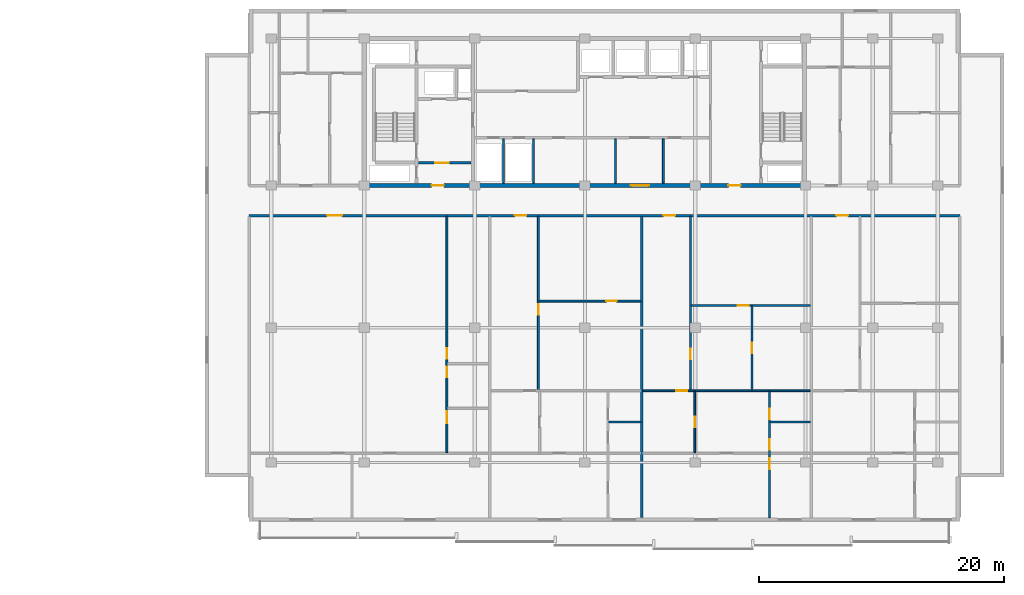
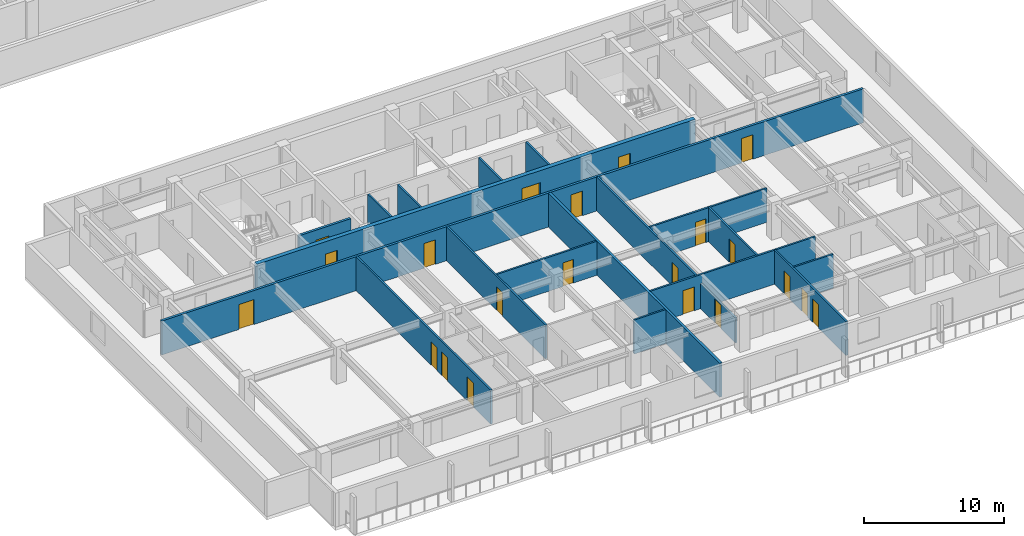
# One storey, part 5 of 21: 21 doors, 19 walls, 21 openings.
"""IFC4 building model written with IfcOpenShell, lengths in metres."""

from ifc_helpers import new_model, si_unit, direction, frame, frame_2d, origin, place, context, subcontext, project, spatial, rectangle, extrude, material, layer, layer_set, type_object, element, fill, save


model = new_model("IFC4")

# Units and contexts
model_context = context("Model", 3, precision=1e-05, world=origin(), true_north=direction((0.0, 1.0)))
body_context = subcontext(model_context, "Body", "Model", "MODEL_VIEW")
ifc_project = project(units=[si_unit("LENGTHUNIT", "METRE"), si_unit("AREAUNIT", "SQUARE_METRE"), si_unit("VOLUMEUNIT", "CUBIC_METRE"), si_unit("PLANEANGLEUNIT", "RADIAN"), si_unit("MASSUNIT", "GRAM", prefix="KILO")], contexts=[model_context])

# Site, building, storey
site_placement = place(None, origin())
site = spatial("IfcSite", under=ifc_project, at=site_placement, CompositionType="ELEMENT")
building_placement = place(site_placement, origin())
building = spatial("IfcBuilding", under=site, at=building_placement, Name="Korimba Cascade Residences", CompositionType="ELEMENT")
storey_placement = place(building_placement, frame((0.0, 0.0, 113.300048828125)))
storey = spatial("IfcBuildingStorey", under=building, at=storey_placement, Name="L32", CompositionType="ELEMENT", Elevation=113.300048828125)

# Wall, openings, doors
ifc_material_1 = material(Name="Concrete C65/80", Category="concrete")
ifc_layer_1 = layer(ifc_material_1, 0.35009765625)
ifc_layer_set_1 = layer_set([ifc_layer_1], Name="Concrete C65/80")
wall_type_1 = type_object("IfcWallType", Name="WAL-CORE-350", PredefinedType="SHEAR", material=ifc_layer_set_1)
wall_1_placement = place(storey_placement, frame((81.925048828125, 18.39990234375, 0.0), z_axis=(0.0, 0.0, 1.0), x_axis=(1.0, 0.0, 0.0)))
wall_1 = element("IfcWall", 1, at=wall_1_placement, inside=storey, type_object=wall_type_1, Name="L32 Core Shear Wall CW-L32-T2-S", PredefinedType="SHEAR", context=body_context, shape_type="SweptSolid", body=[
    extrude(rectangle(XDim=36.264892578125, YDim=0.35009765625, at=frame_2d((18.13232421875, 0.0))), origin(), (0.0, 0.0, 1.0), 3.25),
])
opening_1_placement = place(wall_1_placement, frame((5.675048828125, 0.0, 0.0)))
opening_1 = element("IfcOpeningElement", 2, at=opening_1_placement, cuts=wall_1, Name="Opening D-FD5", PredefinedType="OPENING", context=body_context, shape_type="SweptSolid", body=[
    extrude(rectangle(XDim=1.0, YDim=2.14990234375, at=frame_2d((0.5, 1.074951171875))), frame((0.0, 0.18505859375, 0.0), z_axis=(0.0, -1.0, 0.0), x_axis=(1.0, 0.0, 0.0)), (0.0, 0.0, 1.0), 0.3701171875),
])
opening_2_placement = place(wall_1_placement, frame((21.925048828125, 0.0, 0.0)))
opening_2 = element("IfcOpeningElement", 3, at=opening_2_placement, cuts=wall_1, Name="Opening D-FD8", PredefinedType="OPENING", context=body_context, shape_type="SweptSolid", body=[
    extrude(rectangle(XDim=1.5, YDim=2.199951171875, at=frame_2d((0.75, 1.10009765625))), frame((0.0, 0.18505859375, 0.0), z_axis=(0.0, -1.0, 0.0), x_axis=(1.0, 0.0, 0.0)), (0.0, 0.0, 1.0), 0.3701171875),
])
opening_3_placement = place(wall_1_placement, frame((29.875, 0.0, 0.0)))
opening_3 = element("IfcOpeningElement", 4, at=opening_3_placement, cuts=wall_1, Name="Opening D-FD5", PredefinedType="OPENING", context=body_context, shape_type="SweptSolid", body=[
    extrude(rectangle(XDim=1.0, YDim=2.14990234375, at=frame_2d((0.5, 1.074951171875))), frame((0.0, 0.18505859375, 0.0), z_axis=(0.0, -1.0, 0.0), x_axis=(1.0, 0.0, 0.0)), (0.0, 0.0, 1.0), 0.3701171875),
])
ifc_material_2 = material(Name="Fire-Rated Acoustic Timber Vestibule Door", Category="wood")
door_type_1 = type_object("IfcDoorType", Name="DR-FD90-1000", OperationType="NOTDEFINED", PredefinedType="DOOR", material=ifc_material_2)
door_1_placement = place(opening_1_placement, origin())
door_1 = element("IfcDoor", 5, at=door_1_placement, inside=storey, type_object=door_type_1, Name="L32 T2 West Core Vestibule Fire Door", OperationType="SINGLE_SWING_RIGHT", OverallHeight=2.14990234375, OverallWidth=1.0, PredefinedType="DOOR", context=body_context, shape_type="SweptSolid", body=[
    extrude(rectangle(XDim=1.0, YDim=2.14990234375, at=frame_2d((0.5, 1.074951171875))), frame((0.0, 0.02490234375, 0.0), z_axis=(0.0, -1.0, 0.0), x_axis=(1.0, 0.0, 0.0)), (0.0, 0.0, 1.0), 0.050048828125),
])
fill(opening_1, door_1)
door_2_placement = place(opening_3_placement, origin())
door_2 = element("IfcDoor", 6, at=door_2_placement, inside=storey, type_object=door_type_1, Name="L32 T2 East Stair Vestibule Fire Door", OperationType="SINGLE_SWING_LEFT", OverallHeight=2.14990234375, OverallWidth=1.0, PredefinedType="DOOR", context=body_context, shape_type="SweptSolid", body=[
    extrude(rectangle(XDim=1.0, YDim=2.14990234375, at=frame_2d((0.5, 1.074951171875))), frame((0.0, 0.02490234375, 0.0), z_axis=(0.0, -1.0, 0.0), x_axis=(1.0, 0.0, 0.0)), (0.0, 0.0, 1.0), 0.050048828125),
])
fill(opening_3, door_2)
ifc_material_3 = material(Name="Fire-Rated Glazed Lift Lobby Double Door", Category="glass")
door_type_2 = type_object("IfcDoorType", Name="DR-FD90-1500", OperationType="NOTDEFINED", PredefinedType="DOOR", material=ifc_material_3)
door_3_placement = place(opening_2_placement, origin())
door_3 = element("IfcDoor", 7, at=door_3_placement, inside=storey, type_object=door_type_2, Name="L32 T2 Lift Lobby Fire Door", OperationType="DOUBLE_DOOR_SINGLE_SWING", OverallHeight=2.199951171875, OverallWidth=1.5, PredefinedType="DOOR", context=body_context, shape_type="SweptSolid", body=[
    extrude(rectangle(XDim=1.5, YDim=2.199951171875, at=frame_2d((0.75, 1.10009765625))), frame((0.0, 0.02490234375, 0.0), z_axis=(0.0, -1.0, 0.0), x_axis=(1.0, 0.0, 0.0)), (0.0, 0.0, 1.0), 0.050048828125),
])
fill(opening_2, door_3)

# Wall
ifc_material_4 = material(Name="Precast concrete C40/50", Category="concrete")
ifc_layer_2 = layer(ifc_material_4, 0.199951171875)
ifc_layer_set_2 = layer_set([ifc_layer_2], Name="Precast concrete C40/50")
wall_type_2 = type_object("IfcWallType", Name="WAL-IT-200", PredefinedType="PARTITIONING", material=ifc_layer_set_2)
wall_2_placement = place(storey_placement, frame((104.75, -8.699951171875, 0.0), z_axis=(0.0, 0.0, 1.0), x_axis=(0.0, 1.0, 0.0)))
element("IfcWall", 8, at=wall_2_placement, inside=storey, type_object=wall_type_2, Name="L32 Partition Wall WAL-L32-T2-DEM-2", PredefinedType="PARTITIONING", context=body_context, shape_type="SweptSolid", body=[
    extrude(rectangle(XDim=24.570068359375, YDim=0.199951171875, at=frame_2d((12.28515625, 0.0))), origin(), (0.0, 0.0, 1.0), 2.969970703125),
])

# Wall, openings, doors
wall_3_placement = place(storey_placement, frame((72.699951171875, 15.949951171875, 0.0), z_axis=(0.0, 0.0, 1.0), x_axis=(1.0, 0.0, 0.0)))
wall_3 = element("IfcWall", 9, at=wall_3_placement, inside=storey, type_object=wall_type_2, Name="L32 Partition Wall WAL-L32-T2-CORS", PredefinedType="PARTITIONING", context=body_context, shape_type="SweptSolid", body=[
    extrude(rectangle(XDim=58.0, YDim=0.199951171875, at=frame_2d((29.0, 0.0))), origin(), (0.0, 0.0, 1.0), 2.969970703125),
])
opening_4_placement = place(wall_3_placement, frame((6.373291015625, 0.0, 0.0)))
opening_4 = element("IfcOpeningElement", 10, at=opening_4_placement, cuts=wall_3, Name="Opening D-AM1", PredefinedType="OPENING", context=body_context, shape_type="SweptSolid", body=[
    extrude(rectangle(XDim=1.219970703125, YDim=2.179931640625, at=frame_2d((0.60986328125, 1.08984375))), frame((0.0, 0.10986328125, 0.0), z_axis=(0.0, -1.0, 0.0), x_axis=(1.0, 0.0, 0.0)), (0.0, 0.0, 1.0), 0.219970703125),
])
opening_5_placement = place(wall_3_placement, frame((21.67822265625, 0.0, 0.0)))
opening_5 = element("IfcOpeningElement", 11, at=opening_5_placement, cuts=wall_3, Name="Opening D-UN1", PredefinedType="OPENING", context=body_context, shape_type="SweptSolid", body=[
    extrude(rectangle(XDim=0.949951171875, YDim=2.14990234375, at=frame_2d((0.47509765625, 1.074951171875))), frame((0.0, 0.10986328125, 0.0), z_axis=(0.0, -1.0, 0.0), x_axis=(1.0, 0.0, 0.0)), (0.0, 0.0, 1.0), 0.219970703125),
])
opening_6_placement = place(wall_3_placement, frame((33.81201171875, 0.0, 0.0)))
opening_6 = element("IfcOpeningElement", 12, at=opening_6_placement, cuts=wall_3, Name="Opening D-UN1", PredefinedType="OPENING", context=body_context, shape_type="SweptSolid", body=[
    extrude(rectangle(XDim=0.949951171875, YDim=2.14990234375, at=frame_2d((0.47509765625, 1.074951171875))), frame((0.0, 0.10986328125, 0.0), z_axis=(0.0, -1.0, 0.0), x_axis=(1.0, 0.0, 0.0)), (0.0, 0.0, 1.0), 0.219970703125),
])
opening_7_placement = place(wall_3_placement, frame((47.92822265625, 0.0, 0.0)))
opening_7 = element("IfcOpeningElement", 13, at=opening_7_placement, cuts=wall_3, Name="Opening D-UN1", PredefinedType="OPENING", context=body_context, shape_type="SweptSolid", body=[
    extrude(rectangle(XDim=0.949951171875, YDim=2.14990234375, at=frame_2d((0.47509765625, 1.074951171875))), frame((0.0, 0.10986328125, 0.0), z_axis=(0.0, -1.0, 0.0), x_axis=(1.0, 0.0, 0.0)), (0.0, 0.0, 1.0), 0.219970703125),
])
ifc_material_5 = material(Name="Fire-Rated Glazed Timber Suite Door", Category="wood")
door_type_3 = type_object("IfcDoorType", Name="DR-FD60-1200", OperationType="NOTDEFINED", PredefinedType="DOOR", material=ifc_material_5)
door_4_placement = place(opening_4_placement, origin())
door_4 = element("IfcDoor", 14, at=door_4_placement, inside=storey, type_object=door_type_3, Name="L32-T2-U01 Architecture Reading Library Door", OperationType="SINGLE_SWING_LEFT", OverallHeight=2.179931640625, OverallWidth=1.219970703125, PredefinedType="DOOR", context=body_context, shape_type="SweptSolid", body=[
    extrude(rectangle(XDim=1.219970703125, YDim=2.179931640625, at=frame_2d((0.60986328125, 1.08984375))), frame((0.0, 0.02490234375, 0.0), z_axis=(0.0, -1.0, 0.0), x_axis=(1.0, 0.0, 0.0)), (0.0, 0.0, 1.0), 0.050048828125),
])
fill(opening_4, door_4)
ifc_material_6 = material(Name="Fire-Rated Hardwood Apartment Entrance Door", Category="wood")
door_type_4 = type_object("IfcDoorType", Name="DR-FD60-950", OperationType="NOTDEFINED", PredefinedType="DOOR", material=ifc_material_6)
door_5_placement = place(opening_5_placement, origin())
door_5 = element("IfcDoor", 15, at=door_5_placement, inside=storey, type_object=door_type_4, Name="Unit L32-T2-U02 Entrance Door", OperationType="SINGLE_SWING_RIGHT", OverallHeight=2.14990234375, OverallWidth=0.949951171875, PredefinedType="DOOR", context=body_context, shape_type="SweptSolid", body=[
    extrude(rectangle(XDim=0.949951171875, YDim=2.14990234375, at=frame_2d((0.47509765625, 1.074951171875))), frame((0.0, 0.02490234375, 0.0), z_axis=(0.0, -1.0, 0.0), x_axis=(1.0, 0.0, 0.0)), (0.0, 0.0, 1.0), 0.050048828125),
])
fill(opening_5, door_5)
door_6_placement = place(opening_6_placement, origin())
door_6 = element("IfcDoor", 16, at=door_6_placement, inside=storey, type_object=door_type_4, Name="Unit L32-T2-U03 Entrance Door", OperationType="SINGLE_SWING_LEFT", OverallHeight=2.14990234375, OverallWidth=0.949951171875, PredefinedType="DOOR", context=body_context, shape_type="SweptSolid", body=[
    extrude(rectangle(XDim=0.949951171875, YDim=2.14990234375, at=frame_2d((0.47509765625, 1.074951171875))), frame((0.0, 0.02490234375, 0.0), z_axis=(0.0, -1.0, 0.0), x_axis=(1.0, 0.0, 0.0)), (0.0, 0.0, 1.0), 0.050048828125),
])
fill(opening_6, door_6)
door_7_placement = place(opening_7_placement, origin())
door_7 = element("IfcDoor", 17, at=door_7_placement, inside=storey, type_object=door_type_4, Name="Unit L32-T2-U04 Entrance Door", OperationType="SINGLE_SWING_RIGHT", OverallHeight=2.14990234375, OverallWidth=0.949951171875, PredefinedType="DOOR", context=body_context, shape_type="SweptSolid", body=[
    extrude(rectangle(XDim=0.949951171875, YDim=2.14990234375, at=frame_2d((0.47509765625, 1.074951171875))), frame((0.0, 0.02490234375, 0.0), z_axis=(0.0, -1.0, 0.0), x_axis=(1.0, 0.0, 0.0)), (0.0, 0.0, 1.0), 0.050048828125),
])
fill(opening_7, door_7)

# Walls
ifc_material_7 = material(Name="Insulated Acoustic Stud Partition", Category="gypsum")
ifc_layer_3 = layer(ifc_material_7, 0.14990234375)
ifc_layer_set_3 = layer_set([ifc_layer_3], Name="Insulated Acoustic Stud Partition")
wall_type_3 = type_object("IfcWallType", Name="WAL-PART-150", PredefinedType="PARTITIONING", material=ifc_layer_set_3)
for number, where, z_axis, x_axis, name in (
    (18, (93.449951171875, 18.60009765625, 0.0), (0.0, 0.0, 1.0), (0.0, 1.0, 0.0), "L32 Partition Wall CW-L32-T2-ERDIV"),
    (19, (95.89990234375, 18.60009765625, 0.0), (0.0, 0.0, 1.0), (0.0, 1.0, 0.0), "L32 Partition Wall CW-L32-T2-PRDIV"),
    (20, (102.60009765625, 18.60009765625, 0.0), (0.0, 0.0, 1.0), (0.0, 1.0, 0.0), "L32 Partition Wall CW-L32-T2-THW"),
    (21, (106.5, 18.60009765625, 0.0), (0.0, 0.0, 1.0), (0.0, 1.0, 0.0), "L32 Partition Wall CW-L32-T2-THE"),
):
    element("IfcWall", number, at=place(storey_placement, frame(where, z_axis=z_axis, x_axis=x_axis)), inside=storey, type_object=wall_type_3, Name=name, PredefinedType="PARTITIONING", context=body_context, shape_type="SweptSolid", body=[
        extrude(rectangle(XDim=3.599853515625, YDim=0.14990234375, at=frame_2d((1.7998046875, 0.0))), origin(), (0.0, 0.0, 1.0), 2.969970703125),
    ])

# Wall, openings, doors
wall_4_placement = place(storey_placement, frame((88.833251953125, -3.389892578125, 0.0), z_axis=(0.0, 0.0, 1.0), x_axis=(0.0, 1.0, 0.0)))
wall_4 = element("IfcWall", 22, at=wall_4_placement, inside=storey, type_object=wall_type_3, Name="L32 Partition Wall WAL-L32-T2-U01-WCV", PredefinedType="PARTITIONING", context=body_context, shape_type="SweptSolid", body=[
    extrude(rectangle(XDim=19.27978515625, YDim=0.14990234375, at=frame_2d((9.639892578125, 0.0))), origin(), (0.0, 0.0, 1.0), 2.969970703125),
])
opening_8_placement = place(wall_4_placement, frame((2.406005859375, 0.0, 0.0)))
opening_8 = element("IfcOpeningElement", 23, at=opening_8_placement, cuts=wall_4, Name="Opening D-AC1", PredefinedType="OPENING", context=body_context, shape_type="SweptSolid", body=[
    extrude(rectangle(XDim=0.9599609375, YDim=2.10009765625, at=frame_2d((0.47998046875, 1.050048828125))), frame((0.0, 0.0849609375, 0.0), z_axis=(0.0, -1.0, 0.0), x_axis=(1.0, 0.0, 0.0)), (0.0, 0.0, 1.0), 0.169921875),
])
opening_9_placement = place(wall_4_placement, frame((6.132568359375, 0.0, 0.0)))
opening_9 = element("IfcOpeningElement", 24, at=opening_9_placement, cuts=wall_4, Name="Opening D-IN2", PredefinedType="OPENING", context=body_context, shape_type="SweptSolid", body=[
    extrude(rectangle(XDim=0.8798828125, YDim=2.06005859375, at=frame_2d((0.43994140625, 1.030029296875))), frame((0.0, 0.0849609375, 0.0), z_axis=(0.0, -1.0, 0.0), x_axis=(1.0, 0.0, 0.0)), (0.0, 0.0, 1.0), 0.169921875),
])
opening_10_placement = place(wall_4_placement, frame((7.67431640625, 0.0, 0.0)))
opening_10 = element("IfcOpeningElement", 25, at=opening_10_placement, cuts=wall_4, Name="Opening D-BT1", PredefinedType="OPENING", context=body_context, shape_type="SweptSolid", body=[
    extrude(rectangle(XDim=0.840087890625, YDim=2.0400390625, at=frame_2d((0.419921875, 1.02001953125))), frame((0.0, 0.0849609375, 0.0), z_axis=(0.0, -1.0, 0.0), x_axis=(1.0, 0.0, 0.0)), (0.0, 0.0, 1.0), 0.169921875),
])
ifc_material_8 = material(Name="Accessible Acoustic Timber WC Door", Category="wood")
door_type_5 = type_object("IfcDoorType", Name="DR-ACC-950", OperationType="NOTDEFINED", PredefinedType="DOOR", material=ifc_material_8)
door_8_placement = place(opening_8_placement, origin())
door_8 = element("IfcDoor", 26, at=door_8_placement, inside=storey, type_object=door_type_5, Name="L32-T2-U01 Accessible WC Door", OperationType="SINGLE_SWING_RIGHT", OverallHeight=2.10009765625, OverallWidth=0.9599609375, PredefinedType="DOOR", context=body_context, shape_type="SweptSolid", body=[
    extrude(rectangle(XDim=0.9599609375, YDim=2.10009765625, at=frame_2d((0.47998046875, 1.050048828125))), frame((0.0, 0.02490234375, 0.0), z_axis=(0.0, -1.0, 0.0), x_axis=(1.0, 0.0, 0.0)), (0.0, 0.0, 1.0), 0.050048828125),
])
fill(opening_8, door_8)
ifc_material_9 = material(Name="Moisture-Resistant Bathroom Timber Door", Category="wood")
door_type_6 = type_object("IfcDoorType", Name="DR-INT-850", OperationType="NOTDEFINED", PredefinedType="DOOR", material=ifc_material_9)
door_9_placement = place(opening_10_placement, origin())
door_9 = element("IfcDoor", 27, at=door_9_placement, inside=storey, type_object=door_type_6, Name="L32-T2-U01 Suite Store Door", OperationType="SINGLE_SWING_RIGHT", OverallHeight=2.0400390625, OverallWidth=0.840087890625, PredefinedType="DOOR", context=body_context, shape_type="SweptSolid", body=[
    extrude(rectangle(XDim=0.840087890625, YDim=2.0400390625, at=frame_2d((0.419921875, 1.02001953125))), frame((0.0, 0.02490234375, 0.0), z_axis=(0.0, -1.0, 0.0), x_axis=(1.0, 0.0, 0.0)), (0.0, 0.0, 1.0), 0.050048828125),
])
fill(opening_10, door_9)
ifc_material_10 = material(Name="Acoustic Timber Bedroom Door", Category="wood")
door_type_7 = type_object("IfcDoorType", Name="DR-INT-880", OperationType="NOTDEFINED", PredefinedType="DOOR", material=ifc_material_10)
door_10_placement = place(opening_9_placement, origin())
door_10 = element("IfcDoor", 28, at=door_10_placement, inside=storey, type_object=door_type_7, Name="L32-T2-U01 Restroom WC Door", OperationType="SINGLE_SWING_LEFT", OverallHeight=2.06005859375, OverallWidth=0.8798828125, PredefinedType="DOOR", context=body_context, shape_type="SweptSolid", body=[
    extrude(rectangle(XDim=0.8798828125, YDim=2.06005859375, at=frame_2d((0.43994140625, 1.030029296875))), frame((0.0, 0.02490234375, 0.0), z_axis=(0.0, -1.0, 0.0), x_axis=(1.0, 0.0, 0.0)), (0.0, 0.0, 1.0), 0.050048828125),
])
fill(opening_9, door_10)

# Wall, opening, door
wall_5_placement = place(storey_placement, frame((96.36328125, 8.969970703125, 0.0), z_axis=(0.0, 0.0, 1.0), x_axis=(1.0, 0.0, 0.0)))
wall_5 = element("IfcWall", 29, at=wall_5_placement, inside=storey, type_object=wall_type_3, Name="L32 Partition Wall WAL-L32-T2-U02-FMH", PredefinedType="PARTITIONING", context=body_context, shape_type="SweptSolid", body=[
    extrude(rectangle(XDim=8.306640625, YDim=0.14990234375, at=frame_2d((4.1533203125, 0.0))), origin(), (0.0, 0.0, 1.0), 2.969970703125),
])
opening_11_placement = place(wall_5_placement, frame((5.46240234375, 0.0, 0.0)))
opening_11 = element("IfcOpeningElement", 30, at=opening_11_placement, cuts=wall_5, Name="Opening D-IN2", PredefinedType="OPENING", context=body_context, shape_type="SweptSolid", body=[
    extrude(rectangle(XDim=0.8798828125, YDim=2.06005859375, at=frame_2d((0.43994140625, 1.030029296875))), frame((0.0, 0.0849609375, 0.0), z_axis=(0.0, -1.0, 0.0), x_axis=(1.0, 0.0, 0.0)), (0.0, 0.0, 1.0), 0.169921875),
])
door_11_placement = place(opening_11_placement, origin())
door_11 = element("IfcDoor", 31, at=door_11_placement, inside=storey, type_object=door_type_7, Name="L32-T2-U02 Library Salon Door", OperationType="SINGLE_SWING_LEFT", OverallHeight=2.06005859375, OverallWidth=0.8798828125, PredefinedType="DOOR", context=body_context, shape_type="SweptSolid", body=[
    extrude(rectangle(XDim=0.8798828125, YDim=2.06005859375, at=frame_2d((0.43994140625, 1.030029296875))), frame((0.0, 0.02490234375, 0.0), z_axis=(0.0, -1.0, 0.0), x_axis=(1.0, 0.0, 0.0)), (0.0, 0.0, 1.0), 0.050048828125),
])
fill(opening_11, door_11)

wall_6_placement = place(storey_placement, frame((96.30322265625, 1.68994140625, 0.0), z_axis=(0.0, 0.0, 1.0), x_axis=(0.0, 1.0, 0.0)))
wall_6 = element("IfcWall", 32, at=wall_6_placement, inside=storey, type_object=wall_type_3, Name="L32 Partition Wall WAL-L32-T2-U02-FV", PredefinedType="PARTITIONING", context=body_context, shape_type="SweptSolid", body=[
    extrude(rectangle(XDim=14.199951171875, YDim=0.14990234375, at=frame_2d((7.10009765625, 0.0))), origin(), (0.0, 0.0, 1.0), 2.969970703125),
])
opening_12_placement = place(wall_6_placement, frame((6.14990234375, 0.0, 0.0)))
opening_12 = element("IfcOpeningElement", 33, at=opening_12_placement, cuts=wall_6, Name="Opening D-IN2", PredefinedType="OPENING", context=body_context, shape_type="SweptSolid", body=[
    extrude(rectangle(XDim=0.8798828125, YDim=2.06005859375, at=frame_2d((0.43994140625, 1.030029296875))), frame((0.0, 0.0849609375, 0.0), z_axis=(0.0, -1.0, 0.0), x_axis=(1.0, 0.0, 0.0)), (0.0, 0.0, 1.0), 0.169921875),
])
door_12_placement = place(opening_12_placement, origin())
door_12 = element("IfcDoor", 34, at=door_12_placement, inside=storey, type_object=door_type_7, Name="L32-T2-U02 Media Lounge Door", OperationType="SINGLE_SWING_RIGHT", OverallHeight=2.06005859375, OverallWidth=0.8798828125, PredefinedType="DOOR", context=body_context, shape_type="SweptSolid", body=[
    extrude(rectangle(XDim=0.8798828125, YDim=2.06005859375, at=frame_2d((0.43994140625, 1.030029296875))), frame((0.0, 0.02490234375, 0.0), z_axis=(0.0, -1.0, 0.0), x_axis=(1.0, 0.0, 0.0)), (0.0, 0.0, 1.0), 0.050048828125),
])
fill(opening_12, door_12)

# Wall
wall_7_placement = place(storey_placement, frame((102.0400390625, -0.889892578125, 0.0), z_axis=(0.0, 0.0, 1.0), x_axis=(1.0, 0.0, 0.0)))
element("IfcWall", 35, at=wall_7_placement, inside=storey, type_object=wall_type_3, Name="L32 Partition Wall WAL-L32-T2-U02-BLDIV", PredefinedType="PARTITIONING", context=body_context, shape_type="SweptSolid", body=[
    extrude(rectangle(XDim=2.6298828125, YDim=0.14990234375, at=frame_2d((1.31494140625, 0.0))), origin(), (0.0, 0.0, 1.0), 2.969970703125),
])

# Wall, opening, door
wall_8_placement = place(storey_placement, frame((113.74169921875, 1.68994140625, 0.0), z_axis=(0.0, 0.0, 1.0), x_axis=(0.0, 1.0, 0.0)))
wall_8 = element("IfcWall", 36, at=wall_8_placement, inside=storey, type_object=wall_type_3, Name="L32 Partition Wall WAL-L32-T2-U03-FMV", PredefinedType="PARTITIONING", context=body_context, shape_type="SweptSolid", body=[
    extrude(rectangle(XDim=6.920166015625, YDim=0.14990234375, at=frame_2d((3.4599609375, 0.0))), origin(), (0.0, 0.0, 1.0), 2.969970703125),
])
opening_13_placement = place(wall_8_placement, frame((3.0400390625, 0.0, 0.0)))
opening_13 = element("IfcOpeningElement", 37, at=opening_13_placement, cuts=wall_8, Name="Opening D-BT1", PredefinedType="OPENING", context=body_context, shape_type="SweptSolid", body=[
    extrude(rectangle(XDim=0.840087890625, YDim=2.0400390625, at=frame_2d((0.419921875, 1.02001953125))), frame((0.0, 0.0849609375, 0.0), z_axis=(0.0, -1.0, 0.0), x_axis=(1.0, 0.0, 0.0)), (0.0, 0.0, 1.0), 0.169921875),
])
door_13_placement = place(opening_13_placement, origin())
door_13 = element("IfcDoor", 38, at=door_13_placement, inside=storey, type_object=door_type_6, Name="L32-T2-U03 Wardrobe Door", OperationType="SINGLE_SWING_LEFT", OverallHeight=2.0400390625, OverallWidth=0.840087890625, PredefinedType="DOOR", context=body_context, shape_type="SweptSolid", body=[
    extrude(rectangle(XDim=0.840087890625, YDim=2.0400390625, at=frame_2d((0.419921875, 1.02001953125))), frame((0.0, 0.02490234375, 0.0), z_axis=(0.0, -1.0, 0.0), x_axis=(1.0, 0.0, 0.0)), (0.0, 0.0, 1.0), 0.050048828125),
])
fill(opening_13, door_13)

wall_9_placement = place(storey_placement, frame((108.780029296875, 8.610107421875, 0.0), z_axis=(0.0, 0.0, 1.0), x_axis=(1.0, 0.0, 0.0)))
wall_9 = element("IfcWall", 39, at=wall_9_placement, inside=storey, type_object=wall_type_3, Name="L32 Partition Wall WAL-L32-T2-U03-FMH", PredefinedType="PARTITIONING", context=body_context, shape_type="SweptSolid", body=[
    extrude(rectangle(XDim=9.723388671875, YDim=0.14990234375, at=frame_2d((4.86181640625, 0.0))), origin(), (0.0, 0.0, 1.0), 2.969970703125),
])
opening_14_placement = place(wall_9_placement, frame((3.79150390625, 0.0, 0.0)))
opening_14 = element("IfcOpeningElement", 40, at=opening_14_placement, cuts=wall_9, Name="Opening D-IN2", PredefinedType="OPENING", context=body_context, shape_type="SweptSolid", body=[
    extrude(rectangle(XDim=0.8798828125, YDim=2.06005859375, at=frame_2d((0.43994140625, 1.030029296875))), frame((0.0, 0.0849609375, 0.0), z_axis=(0.0, -1.0, 0.0), x_axis=(1.0, 0.0, 0.0)), (0.0, 0.0, 1.0), 0.169921875),
])
door_14_placement = place(opening_14_placement, origin())
door_14 = element("IfcDoor", 41, at=door_14_placement, inside=storey, type_object=door_type_7, Name="L32-T2-U03 Library Salon Door", OperationType="SINGLE_SWING_RIGHT", OverallHeight=2.06005859375, OverallWidth=0.8798828125, PredefinedType="DOOR", context=body_context, shape_type="SweptSolid", body=[
    extrude(rectangle(XDim=0.8798828125, YDim=2.06005859375, at=frame_2d((0.43994140625, 1.030029296875))), frame((0.0, 0.02490234375, 0.0), z_axis=(0.0, -1.0, 0.0), x_axis=(1.0, 0.0, 0.0)), (0.0, 0.0, 1.0), 0.050048828125),
])
fill(opening_14, door_14)

wall_10_placement = place(storey_placement, frame((108.719970703125, 1.68994140625, 0.0), z_axis=(0.0, 0.0, 1.0), x_axis=(0.0, 1.0, 0.0)))
wall_10 = element("IfcWall", 42, at=wall_10_placement, inside=storey, type_object=wall_type_3, Name="L32 Partition Wall WAL-L32-T2-U03-FV", PredefinedType="PARTITIONING", context=body_context, shape_type="SweptSolid", body=[
    extrude(rectangle(XDim=14.199951171875, YDim=0.14990234375, at=frame_2d((7.10009765625, 0.0))), origin(), (0.0, 0.0, 1.0), 2.969970703125),
])
opening_15_placement = place(wall_10_placement, frame((2.52587890625, 0.0, 0.0)))
opening_15 = element("IfcOpeningElement", 43, at=opening_15_placement, cuts=wall_10, Name="Opening D-IN2", PredefinedType="OPENING", context=body_context, shape_type="SweptSolid", body=[
    extrude(rectangle(XDim=0.8798828125, YDim=2.06005859375, at=frame_2d((0.43994140625, 1.030029296875))), frame((0.0, 0.0849609375, 0.0), z_axis=(0.0, -1.0, 0.0), x_axis=(1.0, 0.0, 0.0)), (0.0, 0.0, 1.0), 0.169921875),
])
door_15_placement = place(opening_15_placement, origin())
door_15 = element("IfcDoor", 44, at=door_15_placement, inside=storey, type_object=door_type_7, Name="L32-T2-U03 Media Lounge Door", OperationType="SINGLE_SWING_LEFT", OverallHeight=2.06005859375, OverallWidth=0.8798828125, PredefinedType="DOOR", context=body_context, shape_type="SweptSolid", body=[
    extrude(rectangle(XDim=0.8798828125, YDim=2.06005859375, at=frame_2d((0.43994140625, 1.030029296875))), frame((0.0, 0.02490234375, 0.0), z_axis=(0.0, -1.0, 0.0), x_axis=(1.0, 0.0, 0.0)), (0.0, 0.0, 1.0), 0.050048828125),
])
fill(opening_15, door_15)

wall_11_placement = place(storey_placement, frame((109.070068359375, -3.389892578125, 0.0), z_axis=(0.0, 0.0, 1.0), x_axis=(0.0, 1.0, 0.0)))
wall_11 = element("IfcWall", 45, at=wall_11_placement, inside=storey, type_object=wall_type_3, Name="L32 Partition Wall WAL-L32-T2-U03-VDIN", PredefinedType="PARTITIONING", context=body_context, shape_type="SweptSolid", body=[
    extrude(rectangle(XDim=5.0, YDim=0.14990234375, at=frame_2d((2.5, 0.0))), origin(), (0.0, 0.0, 1.0), 2.2001953125),
])
opening_16_placement = place(wall_11_placement, frame((2.06005859375, 0.0, 0.0)))
opening_16 = element("IfcOpeningElement", 46, at=opening_16_placement, cuts=wall_11, Name="Opening D-IN2", PredefinedType="OPENING", context=body_context, shape_type="SweptSolid", body=[
    extrude(rectangle(XDim=0.8798828125, YDim=2.06005859375, at=frame_2d((0.43994140625, 1.030029296875))), frame((0.0, 0.0849609375, 0.0), z_axis=(0.0, -1.0, 0.0), x_axis=(1.0, 0.0, 0.0)), (0.0, 0.0, 1.0), 0.169921875),
])
door_16_placement = place(opening_16_placement, origin())
door_16 = element("IfcDoor", 47, at=door_16_placement, inside=storey, type_object=door_type_7, Name="L32-T2-U03 Dining Room Door", OperationType="SINGLE_SWING_RIGHT", OverallHeight=2.06005859375, OverallWidth=0.8798828125, PredefinedType="DOOR", context=body_context, shape_type="SweptSolid", body=[
    extrude(rectangle(XDim=0.8798828125, YDim=2.06005859375, at=frame_2d((0.43994140625, 1.030029296875))), frame((0.0, 0.02490234375, 0.0), z_axis=(0.0, -1.0, 0.0), x_axis=(1.0, 0.0, 0.0)), (0.0, 0.0, 1.0), 0.050048828125),
])
fill(opening_16, door_16)

# Wall
wall_12_placement = place(storey_placement, frame((115.223388671875, -0.889892578125, 0.0), z_axis=(0.0, 0.0, 1.0), x_axis=(1.0, 0.0, 0.0)))
element("IfcWall", 48, at=wall_12_placement, inside=storey, type_object=wall_type_3, Name="L32 Partition Wall WAL-L32-T2-U03-BLDIV", PredefinedType="PARTITIONING", context=body_context, shape_type="SweptSolid", body=[
    extrude(rectangle(XDim=3.280029296875, YDim=0.14990234375, at=frame_2d((1.64013671875, 0.0))), origin(), (0.0, 0.0, 1.0), 2.969970703125),
])

# Wall, openings, doors
wall_13_placement = place(storey_placement, frame((115.163330078125, -8.699951171875, 0.0), z_axis=(0.0, 0.0, 1.0), x_axis=(0.0, 1.0, 0.0)))
wall_13 = element("IfcWall", 49, at=wall_13_placement, inside=storey, type_object=wall_type_3, Name="L32 Partition Wall WAL-L32-T2-U03-V1", PredefinedType="PARTITIONING", context=body_context, shape_type="SweptSolid", body=[
    extrude(rectangle(XDim=10.31005859375, YDim=0.14990234375, at=frame_2d((5.155029296875, 0.0))), origin(), (0.0, 0.0, 1.0), 2.969970703125),
])
opening_17_placement = place(wall_13_placement, frame((5.550048828125, 0.0, 0.0)))
opening_17 = element("IfcOpeningElement", 50, at=opening_17_placement, cuts=wall_13, Name="Opening D-BT1", PredefinedType="OPENING", context=body_context, shape_type="SweptSolid", body=[
    extrude(rectangle(XDim=0.840087890625, YDim=2.0400390625, at=frame_2d((0.419921875, 1.02001953125))), frame((0.0, 0.0849609375, 0.0), z_axis=(0.0, -1.0, 0.0), x_axis=(1.0, 0.0, 0.0)), (0.0, 0.0, 1.0), 0.169921875),
])
opening_18_placement = place(wall_13_placement, frame((8.03955078125, 0.0, 0.0)))
opening_18 = element("IfcOpeningElement", 51, at=opening_18_placement, cuts=wall_13, Name="Opening D-BT1", PredefinedType="OPENING", context=body_context, shape_type="SweptSolid", body=[
    extrude(rectangle(XDim=0.840087890625, YDim=2.0400390625, at=frame_2d((0.419921875, 1.02001953125))), frame((0.0, 0.0849609375, 0.0), z_axis=(0.0, -1.0, 0.0), x_axis=(1.0, 0.0, 0.0)), (0.0, 0.0, 1.0), 0.169921875),
])
opening_19_placement = place(wall_13_placement, frame((3.949951171875, 0.0, 0.0)))
opening_19 = element("IfcOpeningElement", 52, at=opening_19_placement, cuts=wall_13, Name="Opening D-IN2", PredefinedType="OPENING", context=body_context, shape_type="SweptSolid", body=[
    extrude(rectangle(XDim=0.8798828125, YDim=2.06005859375, at=frame_2d((0.43994140625, 1.030029296875))), frame((0.0, 0.0849609375, 0.0), z_axis=(0.0, -1.0, 0.0), x_axis=(1.0, 0.0, 0.0)), (0.0, 0.0, 1.0), 0.169921875),
])
door_17_placement = place(opening_17_placement, origin())
door_17 = element("IfcDoor", 53, at=door_17_placement, inside=storey, type_object=door_type_6, Name="L32-T2-U03 Bathroom Door", OperationType="SINGLE_SWING_LEFT", OverallHeight=2.0400390625, OverallWidth=0.840087890625, PredefinedType="DOOR", context=body_context, shape_type="SweptSolid", body=[
    extrude(rectangle(XDim=0.840087890625, YDim=2.0400390625, at=frame_2d((0.419921875, 1.02001953125))), frame((0.0, 0.02490234375, 0.0), z_axis=(0.0, -1.0, 0.0), x_axis=(1.0, 0.0, 0.0)), (0.0, 0.0, 1.0), 0.050048828125),
])
fill(opening_17, door_17)
door_18_placement = place(opening_18_placement, origin())
door_18 = element("IfcDoor", 54, at=door_18_placement, inside=storey, type_object=door_type_6, Name="L32-T2-U03 Laundry Door", OperationType="SINGLE_SWING_RIGHT", OverallHeight=2.0400390625, OverallWidth=0.840087890625, PredefinedType="DOOR", context=body_context, shape_type="SweptSolid", body=[
    extrude(rectangle(XDim=0.840087890625, YDim=2.0400390625, at=frame_2d((0.419921875, 1.02001953125))), frame((0.0, 0.02490234375, 0.0), z_axis=(0.0, -1.0, 0.0), x_axis=(1.0, 0.0, 0.0)), (0.0, 0.0, 1.0), 0.050048828125),
])
fill(opening_18, door_18)
door_19_placement = place(opening_19_placement, origin())
door_19 = element("IfcDoor", 55, at=door_19_placement, inside=storey, type_object=door_type_7, Name="L32-T2-U03 Bedroom 1 Door", OperationType="SINGLE_SWING_LEFT", OverallHeight=2.06005859375, OverallWidth=0.8798828125, PredefinedType="DOOR", context=body_context, shape_type="SweptSolid", body=[
    extrude(rectangle(XDim=0.8798828125, YDim=2.06005859375, at=frame_2d((0.43994140625, 1.030029296875))), frame((0.0, 0.02490234375, 0.0), z_axis=(0.0, -1.0, 0.0), x_axis=(1.0, 0.0, 0.0)), (0.0, 0.0, 1.0), 0.050048828125),
])
fill(opening_19, door_19)

# Wall, opening, door
wall_14_placement = place(storey_placement, frame((104.830078125, 1.64990234375, 0.0), z_axis=(0.0, 0.0, 1.0), x_axis=(1.0, 0.0, 0.0)))
wall_14 = element("IfcWall", 56, at=wall_14_placement, inside=storey, type_object=wall_type_3, Name="L32 Partition Wall WAL-L32-T2-U03-MW", PredefinedType="PARTITIONING", context=body_context, shape_type="SweptSolid", body=[
    extrude(rectangle(XDim=13.67333984375, YDim=0.14990234375, at=frame_2d((6.836669921875, 0.0))), origin(), (0.0, 0.0, 1.0), 2.969970703125),
])
opening_20_placement = place(wall_14_placement, frame((2.719970703125, 0.0, 0.0)))
opening_20 = element("IfcOpeningElement", 57, at=opening_20_placement, cuts=wall_14, Name="Opening D-IN1", PredefinedType="OPENING", context=body_context, shape_type="SweptSolid", body=[
    extrude(rectangle(XDim=0.919921875, YDim=2.080078125, at=frame_2d((0.4599609375, 1.0400390625))), frame((0.0, 0.0849609375, 0.0), z_axis=(0.0, -1.0, 0.0), x_axis=(1.0, 0.0, 0.0)), (0.0, 0.0, 1.0), 0.169921875),
])
ifc_material_11 = material(Name="Acoustic Timber Living Door", Category="wood")
door_type_8 = type_object("IfcDoorType", Name="DR-INT-920", OperationType="NOTDEFINED", PredefinedType="DOOR", material=ifc_material_11)
door_20_placement = place(opening_20_placement, origin())
door_20 = element("IfcDoor", 58, at=door_20_placement, inside=storey, type_object=door_type_8, Name="L32-T2-U03 Kitchen Archway Door", OperationType="SINGLE_SWING_RIGHT", OverallHeight=2.080078125, OverallWidth=0.919921875, PredefinedType="DOOR", context=body_context, shape_type="SweptSolid", body=[
    extrude(rectangle(XDim=0.919921875, YDim=2.080078125, at=frame_2d((0.4599609375, 1.0400390625))), frame((0.0, 0.02490234375, 0.0), z_axis=(0.0, -1.0, 0.0), x_axis=(1.0, 0.0, 0.0)), (0.0, 0.0, 1.0), 0.050048828125),
])
fill(opening_20, door_20)

ifc_material_12 = material(Name="Concrete C40/50", Category="concrete")
ifc_layer_4 = layer(ifc_material_12, 0.199951171875)
ifc_layer_set_4 = layer_set([ifc_layer_4], Name="Concrete C40/50")
wall_type_4 = type_object("IfcWallType", Name="WAL-PART-200", PredefinedType="PARTITIONING", material=ifc_layer_set_4)
wall_15_placement = place(storey_placement, frame((86.5, 20.25, 0.0), z_axis=(0.0, 0.0, 1.0), x_axis=(1.0, 0.0, 0.0)))
wall_15 = element("IfcWall", 59, at=wall_15_placement, inside=storey, type_object=wall_type_4, Name="L32 Partition Wall CW-L32-T2-FFLS", PredefinedType="PARTITIONING", context=body_context, shape_type="SweptSolid", body=[
    extrude(rectangle(XDim=4.320068359375, YDim=0.199951171875, at=frame_2d((2.16015625, 0.0))), origin(), (0.0, 0.0, 1.0), 2.969970703125),
])
opening_21_placement = place(wall_15_placement, frame((1.39990234375, 0.0, 0.0)))
opening_21 = element("IfcOpeningElement", 60, at=opening_21_placement, cuts=wall_15, Name="Opening D-FD1", PredefinedType="OPENING", context=body_context, shape_type="SweptSolid", body=[
    extrude(rectangle(XDim=1.10009765625, YDim=2.10009765625, at=frame_2d((0.550048828125, 1.050048828125))), frame((0.0, 0.10986328125, 0.0), z_axis=(0.0, -1.0, 0.0), x_axis=(1.0, 0.0, 0.0)), (0.0, 0.0, 1.0), 0.219970703125),
])
ifc_material_13 = material(Name="Fire-Rated Steel Core Door", Category="steel")
door_type_9 = type_object("IfcDoorType", Name="DR-FD120-1100", OperationType="NOTDEFINED", PredefinedType="DOOR", material=ifc_material_13)
door_21_placement = place(opening_21_placement, origin())
door_21 = element("IfcDoor", 61, at=door_21_placement, inside=storey, type_object=door_type_9, Name="L32 T2 Firefighting Lobby Door", OperationType="SINGLE_SWING_RIGHT", OverallHeight=2.10009765625, OverallWidth=1.10009765625, PredefinedType="DOOR", context=body_context, shape_type="SweptSolid", body=[
    extrude(rectangle(XDim=1.10009765625, YDim=2.10009765625, at=frame_2d((0.550048828125, 1.050048828125))), frame((0.0, 0.02490234375, 0.0), z_axis=(0.0, -1.0, 0.0), x_axis=(1.0, 0.0, 0.0)), (0.0, 0.0, 1.0), 0.050048828125),
])
fill(opening_21, door_21)

save(model, "model.ifc")
